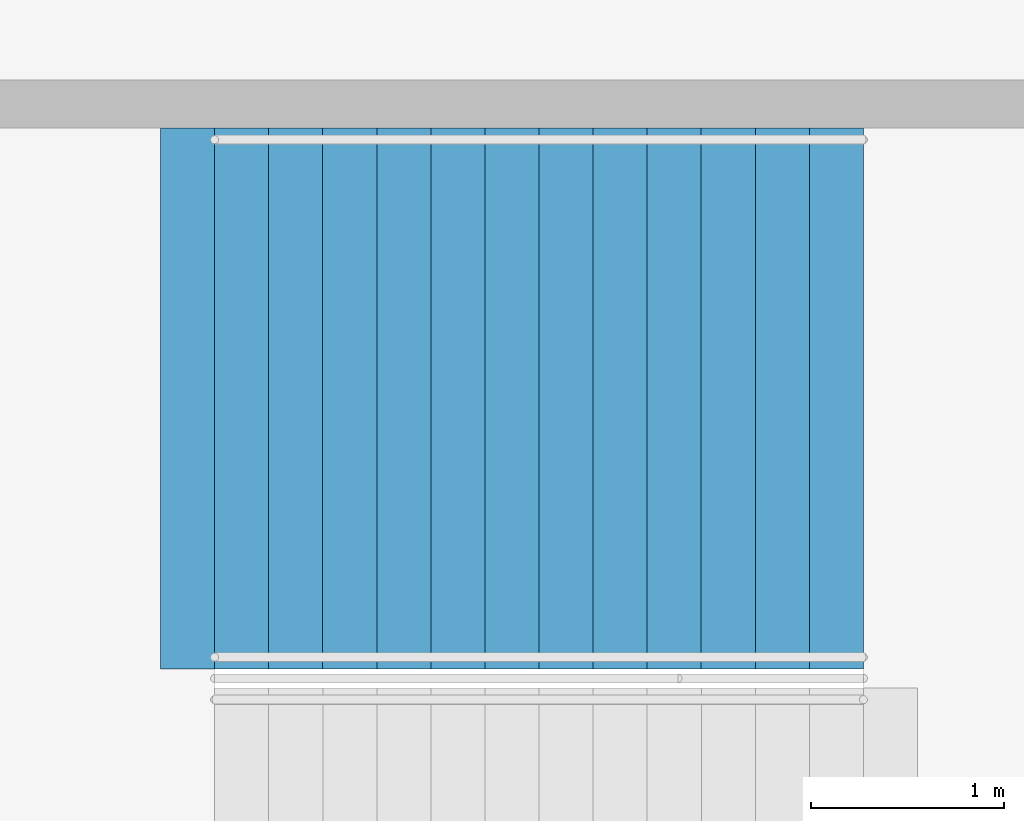
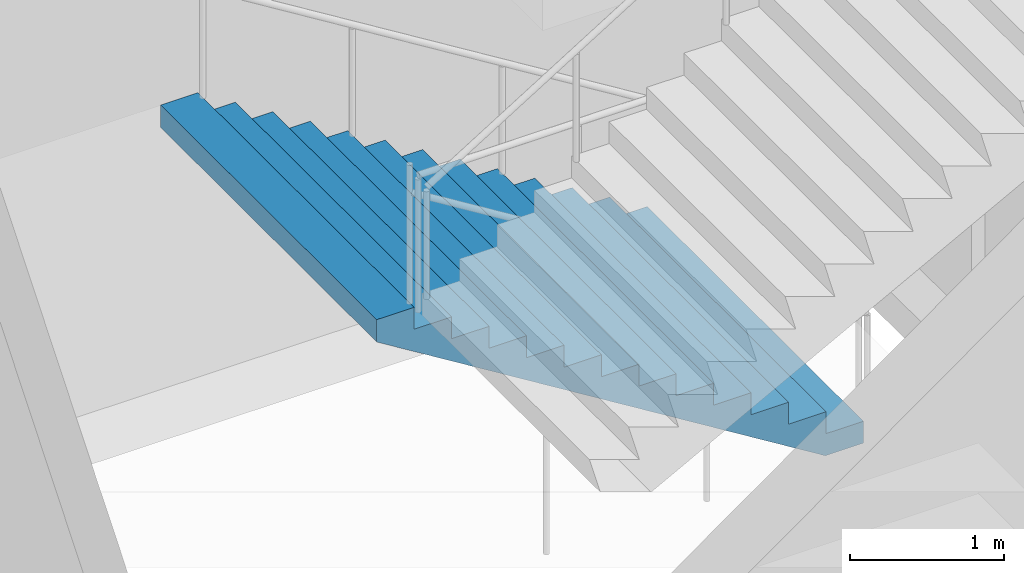
# One storey, part 126 of 199: 1 stair flight, 1 element without a shape of its own.
"""IFC4 building model written with IfcOpenShell, lengths in metres."""

from ifc_helpers import new_model, si_unit, direction, frame, origin, place, context, subcontext, project, spatial, faceted_brep, material, type_object, element, aggregate, save


model = new_model("IFC4")

# Units and contexts
model_context = context("Model", 3, precision=1e-05, world=origin(), true_north=direction((0.0, 1.0)))
body_context = subcontext(model_context, "Body", "Model", "MODEL_VIEW")
ifc_project = project(units=[si_unit("LENGTHUNIT", "METRE"), si_unit("AREAUNIT", "SQUARE_METRE"), si_unit("VOLUMEUNIT", "CUBIC_METRE"), si_unit("PLANEANGLEUNIT", "RADIAN"), si_unit("MASSUNIT", "GRAM", prefix="KILO")], contexts=[model_context])

# Site, building, storey
site_placement = place(None, origin())
site = spatial("IfcSite", under=ifc_project, at=site_placement, CompositionType="ELEMENT")
building_placement = place(site_placement, origin())
building = spatial("IfcBuilding", under=site, at=building_placement, Name="Ogive Plaza Stadium", CompositionType="ELEMENT")
storey_placement = place(building_placement, frame((0.0, 0.0, 9.0)))
storey = spatial("IfcBuildingStorey", under=building, at=storey_placement, Name="L02", CompositionType="ELEMENT", Elevation=9.0)

# Stair, stair flight
ifc_material_1 = material(Name="Concrete C40/50", Category="concrete")
stair_type = type_object("IfcStairType", Name="Exit stair", PredefinedType="STRAIGHT_RUN_STAIR", material=ifc_material_1)
stair_placement = place(storey_placement, origin())
stair = element("IfcStair", 1, at=stair_placement, inside=storey, type_object=stair_type, Name="Exit stair ST22A L02 to L03", PredefinedType="STRAIGHT_RUN_STAIR")
ifc_material_2 = material(Name="Concrete C40/50", Category="concrete")
stair_flight_type = type_object("IfcStairFlightType", Name="Exit stair flight", PredefinedType="STRAIGHT", material=ifc_material_2)
stair_flight_placement = place(storey_placement, frame((-76.35009765625, -33.074951171875, 0.0), z_axis=(0.0, 0.0, 1.0), x_axis=(-1.0, 0.0, 0.0)))
stair_flight = element("IfcStairFlight", 2, at=stair_flight_placement, type_object=stair_flight_type, Name="ST22A flight 1", NumberOfRisers=13, NumberOfTreads=12, PredefinedType="STRAIGHT", RiserHeight=0.173076923, TreadLength=0.28, context=body_context, shape_type="Brep", body=[
    faceted_brep([(0.28515625, -1.39990234375, 0.0), (3.639892578125, -1.39990234375, 2.07373046875), (3.639892578125, -1.39990234375, 2.25), (3.360107421875, -1.39990234375, 2.25), (3.360107421875, -1.39990234375, 2.076904296875), (3.080078125, -1.39990234375, 2.076904296875), (3.080078125, -1.39990234375, 1.90380859375), (2.800048828125, -1.39990234375, 1.90380859375), (2.800048828125, -1.39990234375, 1.730712890625), (2.52001953125, -1.39990234375, 1.730712890625), (2.52001953125, -1.39990234375, 1.5576171875), (2.239990234375, -1.39990234375, 1.5576171875), (2.239990234375, -1.39990234375, 1.384521484375), (1.9599609375, -1.39990234375, 1.384521484375), (1.9599609375, -1.39990234375, 1.21142578125), (1.679931640625, -1.39990234375, 1.21142578125), (1.679931640625, -1.39990234375, 1.03857421875), (1.39990234375, -1.39990234375, 1.03857421875), (1.39990234375, -1.39990234375, 0.865478515625), (1.1201171875, -1.39990234375, 0.865478515625), (1.1201171875, -1.39990234375, 0.6923828125), (0.840087890625, -1.39990234375, 0.6923828125), (0.840087890625, -1.39990234375, 0.519287109375), (0.56005859375, -1.39990234375, 0.519287109375), (0.56005859375, -1.39990234375, 0.34619140625), (0.280029296875, -1.39990234375, 0.34619140625), (0.280029296875, -1.39990234375, 0.173095703125), (0.0, -1.39990234375, 0.173095703125), (0.0, -1.39990234375, 0.0), (0.0, 1.39990234375, 0.0), (0.0, 1.39990234375, 0.173095703125), (0.280029296875, 1.39990234375, 0.173095703125), (0.280029296875, 1.39990234375, 0.34619140625), (0.56005859375, 1.39990234375, 0.34619140625), (0.56005859375, 1.39990234375, 0.519287109375), (0.840087890625, 1.39990234375, 0.519287109375), (0.840087890625, 1.39990234375, 0.6923828125), (1.1201171875, 1.39990234375, 0.6923828125), (1.1201171875, 1.39990234375, 0.865478515625), (1.39990234375, 1.39990234375, 0.865478515625), (1.39990234375, 1.39990234375, 1.03857421875), (1.679931640625, 1.39990234375, 1.03857421875), (1.679931640625, 1.39990234375, 1.21142578125), (1.9599609375, 1.39990234375, 1.21142578125), (1.9599609375, 1.39990234375, 1.384521484375), (2.239990234375, 1.39990234375, 1.384521484375), (2.239990234375, 1.39990234375, 1.5576171875), (2.52001953125, 1.39990234375, 1.5576171875), (2.52001953125, 1.39990234375, 1.730712890625), (2.800048828125, 1.39990234375, 1.730712890625), (2.800048828125, 1.39990234375, 1.90380859375), (3.080078125, 1.39990234375, 1.90380859375), (3.080078125, 1.39990234375, 2.076904296875), (3.360107421875, 1.39990234375, 2.076904296875), (3.360107421875, 1.39990234375, 2.25), (3.639892578125, 1.39990234375, 2.25), (3.639892578125, 1.39990234375, 2.07373046875), (0.28515625, 1.39990234375, 0.0), (0.28515625, -1.0888671875, 0.0), (3.639892578125, -1.0888671875, 2.07373046875), (0.28515625, -0.77783203125, 0.0), (3.639892578125, -0.77783203125, 2.07373046875), (0.28515625, -0.466796875, 0.0), (3.639892578125, -0.466796875, 2.07373046875), (0.28515625, -0.155517578125, 0.0), (3.639892578125, -0.155517578125, 2.07373046875), (0.28515625, 0.155517578125, 0.0), (3.639892578125, 0.155517578125, 2.07373046875), (0.28515625, 0.466796875, 0.0), (3.639892578125, 0.466796875, 2.07373046875), (0.28515625, 0.77783203125, 0.0), (3.639892578125, 0.77783203125, 2.07373046875), (0.28515625, 1.0888671875, 0.0), (3.639892578125, 1.0888671875, 2.07373046875), (3.639892578125, -1.0888671875, 2.25), (3.639892578125, -0.77783203125, 2.25), (3.639892578125, -0.466796875, 2.25), (3.639892578125, -0.155517578125, 2.25), (3.639892578125, 0.155517578125, 2.25), (3.639892578125, 0.466796875, 2.25), (3.639892578125, 0.77783203125, 2.25), (3.639892578125, 1.0888671875, 2.25), (3.360107421875, -1.0888671875, 2.25), (3.360107421875, -0.77783203125, 2.25), (3.360107421875, -0.466796875, 2.25), (3.360107421875, -0.155517578125, 2.25), (3.360107421875, 0.155517578125, 2.25), (3.360107421875, 0.466796875, 2.25), (3.360107421875, 0.77783203125, 2.25), (3.360107421875, 1.0888671875, 2.25), (3.360107421875, -1.0888671875, 2.076904296875), (3.360107421875, -0.77783203125, 2.076904296875), (3.360107421875, -0.466796875, 2.076904296875), (3.360107421875, -0.155517578125, 2.076904296875), (3.360107421875, 0.155517578125, 2.076904296875), (3.360107421875, 0.466796875, 2.076904296875), (3.360107421875, 0.77783203125, 2.076904296875), (3.360107421875, 1.0888671875, 2.076904296875), (3.080078125, -1.0888671875, 2.076904296875), (3.080078125, -0.77783203125, 2.076904296875), (3.080078125, -0.466796875, 2.076904296875), (3.080078125, -0.155517578125, 2.076904296875), (3.080078125, 0.155517578125, 2.076904296875), (3.080078125, 0.466796875, 2.076904296875), (3.080078125, 0.77783203125, 2.076904296875), (3.080078125, 1.0888671875, 2.076904296875), (3.080078125, -1.0888671875, 1.90380859375), (3.080078125, -0.77783203125, 1.90380859375), (3.080078125, -0.466796875, 1.90380859375), (3.080078125, -0.155517578125, 1.90380859375), (3.080078125, 0.155517578125, 1.90380859375), (3.080078125, 0.466796875, 1.90380859375), (3.080078125, 0.77783203125, 1.90380859375), (3.080078125, 1.0888671875, 1.90380859375), (2.800048828125, -1.0888671875, 1.90380859375), (2.800048828125, -0.77783203125, 1.90380859375), (2.800048828125, -0.466796875, 1.90380859375), (2.800048828125, -0.155517578125, 1.90380859375), (2.800048828125, 0.155517578125, 1.90380859375), (2.800048828125, 0.466796875, 1.90380859375), (2.800048828125, 0.77783203125, 1.90380859375), (2.800048828125, 1.0888671875, 1.90380859375), (2.800048828125, -1.0888671875, 1.730712890625), (2.800048828125, -0.77783203125, 1.730712890625), (2.800048828125, -0.466796875, 1.730712890625), (2.800048828125, -0.155517578125, 1.730712890625), (2.800048828125, 0.155517578125, 1.730712890625), (2.800048828125, 0.466796875, 1.730712890625), (2.800048828125, 0.77783203125, 1.730712890625), (2.800048828125, 1.0888671875, 1.730712890625), (2.52001953125, -1.0888671875, 1.730712890625), (2.52001953125, -0.77783203125, 1.730712890625), (2.52001953125, -0.466796875, 1.730712890625), (2.52001953125, -0.155517578125, 1.730712890625), (2.52001953125, 0.155517578125, 1.730712890625), (2.52001953125, 0.466796875, 1.730712890625), (2.52001953125, 0.77783203125, 1.730712890625), (2.52001953125, 1.0888671875, 1.730712890625), (2.52001953125, -1.0888671875, 1.5576171875), (2.52001953125, -0.77783203125, 1.5576171875), (2.52001953125, -0.466796875, 1.5576171875), (2.52001953125, -0.155517578125, 1.5576171875), (2.52001953125, 0.155517578125, 1.5576171875), (2.52001953125, 0.466796875, 1.5576171875), (2.52001953125, 0.77783203125, 1.5576171875), (2.52001953125, 1.0888671875, 1.5576171875), (2.239990234375, -1.0888671875, 1.5576171875), (2.239990234375, -0.77783203125, 1.5576171875), (2.239990234375, -0.466796875, 1.5576171875), (2.239990234375, -0.155517578125, 1.5576171875), (2.239990234375, 0.155517578125, 1.5576171875), (2.239990234375, 0.466796875, 1.5576171875), (2.239990234375, 0.77783203125, 1.5576171875), (2.239990234375, 1.0888671875, 1.5576171875), (2.239990234375, -1.0888671875, 1.384521484375), (2.239990234375, -0.77783203125, 1.384521484375), (2.239990234375, -0.466796875, 1.384521484375), (2.239990234375, -0.155517578125, 1.384521484375), (2.239990234375, 0.155517578125, 1.384521484375), (2.239990234375, 0.466796875, 1.384521484375), (2.239990234375, 0.77783203125, 1.384521484375), (2.239990234375, 1.0888671875, 1.384521484375), (1.9599609375, -1.0888671875, 1.384521484375), (1.9599609375, -0.77783203125, 1.384521484375), (1.9599609375, -0.466796875, 1.384521484375), (1.9599609375, -0.155517578125, 1.384521484375), (1.9599609375, 0.155517578125, 1.384521484375), (1.9599609375, 0.466796875, 1.384521484375), (1.9599609375, 0.77783203125, 1.384521484375), (1.9599609375, 1.0888671875, 1.384521484375), (1.9599609375, -1.0888671875, 1.21142578125), (1.9599609375, -0.77783203125, 1.21142578125), (1.9599609375, -0.466796875, 1.21142578125), (1.9599609375, -0.155517578125, 1.21142578125), (1.9599609375, 0.155517578125, 1.21142578125), (1.9599609375, 0.466796875, 1.21142578125), (1.9599609375, 0.77783203125, 1.21142578125), (1.9599609375, 1.0888671875, 1.21142578125), (1.679931640625, -1.0888671875, 1.21142578125), (1.679931640625, -0.77783203125, 1.21142578125), (1.679931640625, -0.466796875, 1.21142578125), (1.679931640625, -0.155517578125, 1.21142578125), (1.679931640625, 0.155517578125, 1.21142578125), (1.679931640625, 0.466796875, 1.21142578125), (1.679931640625, 0.77783203125, 1.21142578125), (1.679931640625, 1.0888671875, 1.21142578125), (1.679931640625, -1.0888671875, 1.03857421875), (1.679931640625, -0.77783203125, 1.03857421875), (1.679931640625, -0.466796875, 1.03857421875), (1.679931640625, -0.155517578125, 1.03857421875), (1.679931640625, 0.155517578125, 1.03857421875), (1.679931640625, 0.466796875, 1.03857421875), (1.679931640625, 0.77783203125, 1.03857421875), (1.679931640625, 1.0888671875, 1.03857421875), (1.39990234375, -1.0888671875, 1.03857421875), (1.39990234375, -0.77783203125, 1.03857421875), (1.39990234375, -0.466796875, 1.03857421875), (1.39990234375, -0.155517578125, 1.03857421875), (1.39990234375, 0.155517578125, 1.03857421875), (1.39990234375, 0.466796875, 1.03857421875), (1.39990234375, 0.77783203125, 1.03857421875), (1.39990234375, 1.0888671875, 1.03857421875), (1.39990234375, -1.0888671875, 0.865478515625), (1.39990234375, -0.77783203125, 0.865478515625), (1.39990234375, -0.466796875, 0.865478515625), (1.39990234375, -0.155517578125, 0.865478515625), (1.39990234375, 0.155517578125, 0.865478515625), (1.39990234375, 0.466796875, 0.865478515625), (1.39990234375, 0.77783203125, 0.865478515625), (1.39990234375, 1.0888671875, 0.865478515625), (1.1201171875, -1.0888671875, 0.865478515625), (1.1201171875, -0.77783203125, 0.865478515625), (1.1201171875, -0.466796875, 0.865478515625), (1.1201171875, -0.155517578125, 0.865478515625), (1.1201171875, 0.155517578125, 0.865478515625), (1.1201171875, 0.466796875, 0.865478515625), (1.1201171875, 0.77783203125, 0.865478515625), (1.1201171875, 1.0888671875, 0.865478515625), (1.1201171875, -1.0888671875, 0.6923828125), (1.1201171875, -0.77783203125, 0.6923828125), (1.1201171875, -0.466796875, 0.6923828125), (1.1201171875, -0.155517578125, 0.6923828125), (1.1201171875, 0.155517578125, 0.6923828125), (1.1201171875, 0.466796875, 0.6923828125), (1.1201171875, 0.77783203125, 0.6923828125), (1.1201171875, 1.0888671875, 0.6923828125), (0.840087890625, -1.0888671875, 0.6923828125), (0.840087890625, -0.77783203125, 0.6923828125), (0.840087890625, -0.466796875, 0.6923828125), (0.840087890625, -0.155517578125, 0.6923828125), (0.840087890625, 0.155517578125, 0.6923828125), (0.840087890625, 0.466796875, 0.6923828125), (0.840087890625, 0.77783203125, 0.6923828125), (0.840087890625, 1.0888671875, 0.6923828125), (0.840087890625, -1.0888671875, 0.519287109375), (0.840087890625, -0.77783203125, 0.519287109375), (0.840087890625, -0.466796875, 0.519287109375), (0.840087890625, -0.155517578125, 0.519287109375), (0.840087890625, 0.155517578125, 0.519287109375), (0.840087890625, 0.466796875, 0.519287109375), (0.840087890625, 0.77783203125, 0.519287109375), (0.840087890625, 1.0888671875, 0.519287109375), (0.56005859375, -1.0888671875, 0.519287109375), (0.56005859375, -0.77783203125, 0.519287109375), (0.56005859375, -0.466796875, 0.519287109375), (0.56005859375, -0.155517578125, 0.519287109375), (0.56005859375, 0.155517578125, 0.519287109375), (0.56005859375, 0.466796875, 0.519287109375), (0.56005859375, 0.77783203125, 0.519287109375), (0.56005859375, 1.0888671875, 0.519287109375), (0.56005859375, -1.0888671875, 0.34619140625), (0.56005859375, -0.77783203125, 0.34619140625), (0.56005859375, -0.466796875, 0.34619140625), (0.56005859375, -0.155517578125, 0.34619140625), (0.56005859375, 0.155517578125, 0.34619140625), (0.56005859375, 0.466796875, 0.34619140625), (0.56005859375, 0.77783203125, 0.34619140625), (0.56005859375, 1.0888671875, 0.34619140625), (0.280029296875, -1.0888671875, 0.34619140625), (0.280029296875, -0.77783203125, 0.34619140625), (0.280029296875, -0.466796875, 0.34619140625), (0.280029296875, -0.155517578125, 0.34619140625), (0.280029296875, 0.155517578125, 0.34619140625), (0.280029296875, 0.466796875, 0.34619140625), (0.280029296875, 0.77783203125, 0.34619140625), (0.280029296875, 1.0888671875, 0.34619140625), (0.280029296875, -1.0888671875, 0.173095703125), (0.280029296875, -0.77783203125, 0.173095703125), (0.280029296875, -0.466796875, 0.173095703125), (0.280029296875, -0.155517578125, 0.173095703125), (0.280029296875, 0.155517578125, 0.173095703125), (0.280029296875, 0.466796875, 0.173095703125), (0.280029296875, 0.77783203125, 0.173095703125), (0.280029296875, 1.0888671875, 0.173095703125), (0.0, -1.0888671875, 0.173095703125), (0.0, -0.77783203125, 0.173095703125), (0.0, -0.466796875, 0.173095703125), (0.0, -0.155517578125, 0.173095703125), (0.0, 0.155517578125, 0.173095703125), (0.0, 0.466796875, 0.173095703125), (0.0, 0.77783203125, 0.173095703125), (0.0, 1.0888671875, 0.173095703125), (0.0, -1.0888671875, 0.0), (0.0, -0.77783203125, 0.0), (0.0, -0.466796875, 0.0), (0.0, -0.155517578125, 0.0), (0.0, 0.155517578125, 0.0), (0.0, 0.466796875, 0.0), (0.0, 0.77783203125, 0.0), (0.0, 1.0888671875, 0.0)], [[[0, 1, 2, 3, 4, 5, 6, 7, 8, 9, 10, 11, 12, 13, 14, 15, 16, 17, 18, 19, 20, 21, 22, 23, 24, 25, 26, 27, 28]], [[29, 30, 31, 32, 33, 34, 35, 36, 37, 38, 39, 40, 41, 42, 43, 44, 45, 46, 47, 48, 49, 50, 51, 52, 53, 54, 55, 56, 57]], [[0, 58, 59, 1]], [[58, 60, 61, 59]], [[60, 62, 63, 61]], [[62, 64, 65, 63]], [[64, 66, 67, 65]], [[66, 68, 69, 67]], [[68, 70, 71, 69]], [[70, 72, 73, 71]], [[72, 57, 56, 73]], [[1, 59, 74, 2]], [[59, 61, 75, 74]], [[61, 63, 76, 75]], [[63, 65, 77, 76]], [[65, 67, 78, 77]], [[67, 69, 79, 78]], [[69, 71, 80, 79]], [[71, 73, 81, 80]], [[73, 56, 55, 81]], [[2, 74, 82, 3]], [[74, 75, 83, 82]], [[75, 76, 84, 83]], [[76, 77, 85, 84]], [[77, 78, 86, 85]], [[78, 79, 87, 86]], [[79, 80, 88, 87]], [[80, 81, 89, 88]], [[81, 55, 54, 89]], [[3, 82, 90, 4]], [[82, 83, 91, 90]], [[83, 84, 92, 91]], [[84, 85, 93, 92]], [[85, 86, 94, 93]], [[86, 87, 95, 94]], [[87, 88, 96, 95]], [[88, 89, 97, 96]], [[89, 54, 53, 97]], [[4, 90, 98, 5]], [[90, 91, 99, 98]], [[91, 92, 100, 99]], [[92, 93, 101, 100]], [[93, 94, 102, 101]], [[94, 95, 103, 102]], [[95, 96, 104, 103]], [[96, 97, 105, 104]], [[97, 53, 52, 105]], [[5, 98, 106, 6]], [[98, 99, 107, 106]], [[99, 100, 108, 107]], [[100, 101, 109, 108]], [[101, 102, 110, 109]], [[102, 103, 111, 110]], [[103, 104, 112, 111]], [[104, 105, 113, 112]], [[105, 52, 51, 113]], [[6, 106, 114, 7]], [[106, 107, 115, 114]], [[107, 108, 116, 115]], [[108, 109, 117, 116]], [[109, 110, 118, 117]], [[110, 111, 119, 118]], [[111, 112, 120, 119]], [[112, 113, 121, 120]], [[113, 51, 50, 121]], [[7, 114, 122, 8]], [[114, 115, 123, 122]], [[115, 116, 124, 123]], [[116, 117, 125, 124]], [[117, 118, 126, 125]], [[118, 119, 127, 126]], [[119, 120, 128, 127]], [[120, 121, 129, 128]], [[121, 50, 49, 129]], [[8, 122, 130, 9]], [[122, 123, 131, 130]], [[123, 124, 132, 131]], [[124, 125, 133, 132]], [[125, 126, 134, 133]], [[126, 127, 135, 134]], [[127, 128, 136, 135]], [[128, 129, 137, 136]], [[129, 49, 48, 137]], [[9, 130, 138, 10]], [[130, 131, 139, 138]], [[131, 132, 140, 139]], [[132, 133, 141, 140]], [[133, 134, 142, 141]], [[134, 135, 143, 142]], [[135, 136, 144, 143]], [[136, 137, 145, 144]], [[137, 48, 47, 145]], [[10, 138, 146, 11]], [[138, 139, 147, 146]], [[139, 140, 148, 147]], [[140, 141, 149, 148]], [[141, 142, 150, 149]], [[142, 143, 151, 150]], [[143, 144, 152, 151]], [[144, 145, 153, 152]], [[145, 47, 46, 153]], [[11, 146, 154, 12]], [[146, 147, 155, 154]], [[147, 148, 156, 155]], [[148, 149, 157, 156]], [[149, 150, 158, 157]], [[150, 151, 159, 158]], [[151, 152, 160, 159]], [[152, 153, 161, 160]], [[153, 46, 45, 161]], [[12, 154, 162, 13]], [[154, 155, 163, 162]], [[155, 156, 164, 163]], [[156, 157, 165, 164]], [[157, 158, 166, 165]], [[158, 159, 167, 166]], [[159, 160, 168, 167]], [[160, 161, 169, 168]], [[161, 45, 44, 169]], [[13, 162, 170, 14]], [[162, 163, 171, 170]], [[163, 164, 172, 171]], [[164, 165, 173, 172]], [[165, 166, 174, 173]], [[166, 167, 175, 174]], [[167, 168, 176, 175]], [[168, 169, 177, 176]], [[169, 44, 43, 177]], [[14, 170, 178, 15]], [[170, 171, 179, 178]], [[171, 172, 180, 179]], [[172, 173, 181, 180]], [[173, 174, 182, 181]], [[174, 175, 183, 182]], [[175, 176, 184, 183]], [[176, 177, 185, 184]], [[177, 43, 42, 185]], [[15, 178, 186, 16]], [[178, 179, 187, 186]], [[179, 180, 188, 187]], [[180, 181, 189, 188]], [[181, 182, 190, 189]], [[182, 183, 191, 190]], [[183, 184, 192, 191]], [[184, 185, 193, 192]], [[185, 42, 41, 193]], [[16, 186, 194, 17]], [[186, 187, 195, 194]], [[187, 188, 196, 195]], [[188, 189, 197, 196]], [[189, 190, 198, 197]], [[190, 191, 199, 198]], [[191, 192, 200, 199]], [[192, 193, 201, 200]], [[193, 41, 40, 201]], [[17, 194, 202, 18]], [[194, 195, 203, 202]], [[195, 196, 204, 203]], [[196, 197, 205, 204]], [[197, 198, 206, 205]], [[198, 199, 207, 206]], [[199, 200, 208, 207]], [[200, 201, 209, 208]], [[201, 40, 39, 209]], [[18, 202, 210, 19]], [[202, 203, 211, 210]], [[203, 204, 212, 211]], [[204, 205, 213, 212]], [[205, 206, 214, 213]], [[206, 207, 215, 214]], [[207, 208, 216, 215]], [[208, 209, 217, 216]], [[209, 39, 38, 217]], [[19, 210, 218, 20]], [[210, 211, 219, 218]], [[211, 212, 220, 219]], [[212, 213, 221, 220]], [[213, 214, 222, 221]], [[214, 215, 223, 222]], [[215, 216, 224, 223]], [[216, 217, 225, 224]], [[217, 38, 37, 225]], [[20, 218, 226, 21]], [[218, 219, 227, 226]], [[219, 220, 228, 227]], [[220, 221, 229, 228]], [[221, 222, 230, 229]], [[222, 223, 231, 230]], [[223, 224, 232, 231]], [[224, 225, 233, 232]], [[225, 37, 36, 233]], [[21, 226, 234, 22]], [[226, 227, 235, 234]], [[227, 228, 236, 235]], [[228, 229, 237, 236]], [[229, 230, 238, 237]], [[230, 231, 239, 238]], [[231, 232, 240, 239]], [[232, 233, 241, 240]], [[233, 36, 35, 241]], [[22, 234, 242, 23]], [[234, 235, 243, 242]], [[235, 236, 244, 243]], [[236, 237, 245, 244]], [[237, 238, 246, 245]], [[238, 239, 247, 246]], [[239, 240, 248, 247]], [[240, 241, 249, 248]], [[241, 35, 34, 249]], [[23, 242, 250, 24]], [[242, 243, 251, 250]], [[243, 244, 252, 251]], [[244, 245, 253, 252]], [[245, 246, 254, 253]], [[246, 247, 255, 254]], [[247, 248, 256, 255]], [[248, 249, 257, 256]], [[249, 34, 33, 257]], [[24, 250, 258, 25]], [[250, 251, 259, 258]], [[251, 252, 260, 259]], [[252, 253, 261, 260]], [[253, 254, 262, 261]], [[254, 255, 263, 262]], [[255, 256, 264, 263]], [[256, 257, 265, 264]], [[257, 33, 32, 265]], [[25, 258, 266, 26]], [[258, 259, 267, 266]], [[259, 260, 268, 267]], [[260, 261, 269, 268]], [[261, 262, 270, 269]], [[262, 263, 271, 270]], [[263, 264, 272, 271]], [[264, 265, 273, 272]], [[265, 32, 31, 273]], [[26, 266, 274, 27]], [[266, 267, 275, 274]], [[267, 268, 276, 275]], [[268, 269, 277, 276]], [[269, 270, 278, 277]], [[270, 271, 279, 278]], [[271, 272, 280, 279]], [[272, 273, 281, 280]], [[273, 31, 30, 281]], [[27, 274, 282, 28]], [[274, 275, 283, 282]], [[275, 276, 284, 283]], [[276, 277, 285, 284]], [[277, 278, 286, 285]], [[278, 279, 287, 286]], [[279, 280, 288, 287]], [[280, 281, 289, 288]], [[281, 30, 29, 289]], [[28, 282, 58, 0]], [[282, 283, 60, 58]], [[283, 284, 62, 60]], [[284, 285, 64, 62]], [[285, 286, 66, 64]], [[286, 287, 68, 66]], [[287, 288, 70, 68]], [[288, 289, 72, 70]], [[289, 29, 57, 72]]]),
])
aggregate(stair, [stair_flight])

save(model, "model.ifc")
